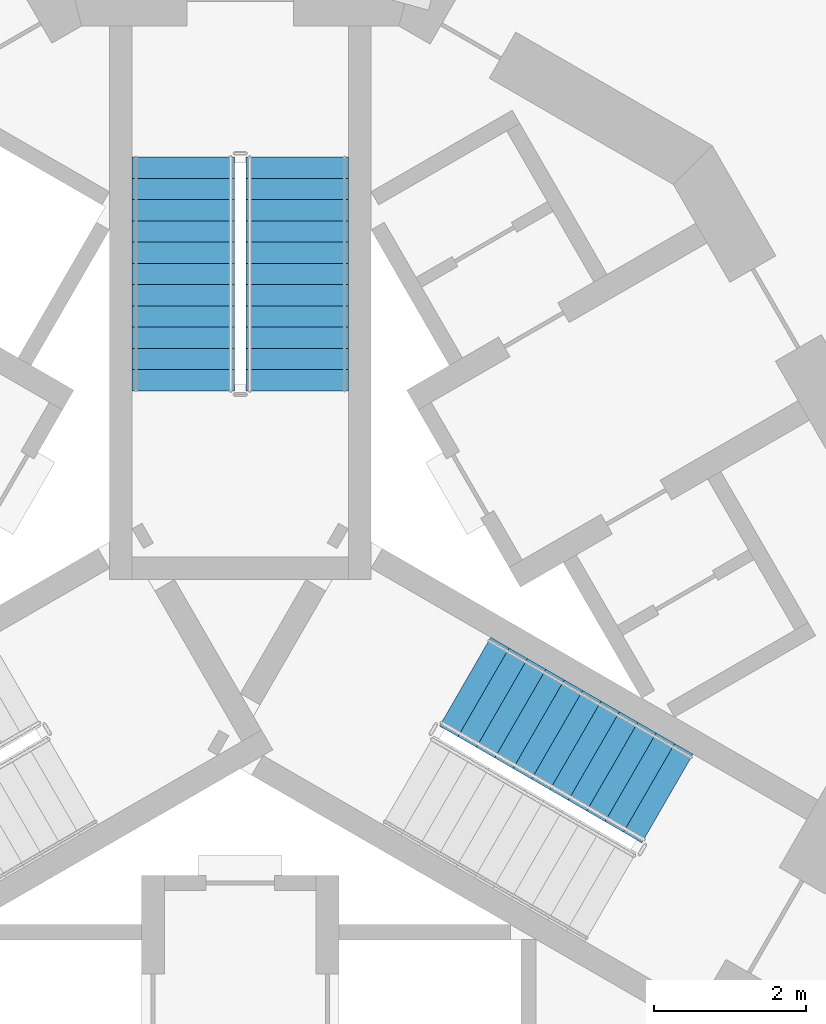
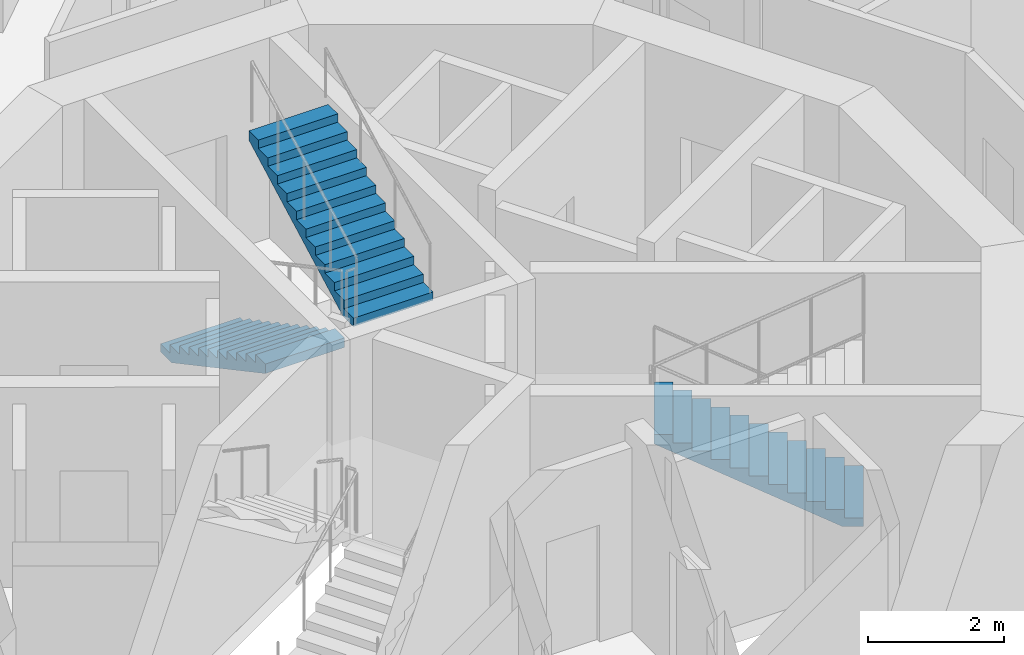
# One storey, part 9 of 15: 3 stair flights, 2 elements without a shape of their own.
"""IFC4 building model written with IfcOpenShell, lengths in metres."""

from ifc_helpers import new_model, si_unit, direction, frame, origin, place, context, subcontext, project, spatial, polyline, outline, extrude, material, type_object, element, aggregate, save


model = new_model("IFC4")

# Units and contexts
model_context = context("Model", 3, precision=1e-05, world=origin(), true_north=direction((0.0, 1.0)))
body_context = subcontext(model_context, "Body", "Model", "MODEL_VIEW")
ifc_project = project(units=[si_unit("LENGTHUNIT", "METRE"), si_unit("AREAUNIT", "SQUARE_METRE"), si_unit("VOLUMEUNIT", "CUBIC_METRE"), si_unit("PLANEANGLEUNIT", "RADIAN"), si_unit("MASSUNIT", "GRAM", prefix="KILO")], contexts=[model_context])

# Site, building, storey
site_placement = place(None, origin())
site = spatial("IfcSite", under=ifc_project, at=site_placement, CompositionType="ELEMENT")
building_placement = place(site_placement, origin())
building = spatial("IfcBuilding", under=site, at=building_placement, Name="Trine Commons Tower", CompositionType="ELEMENT")
storey_placement = place(building_placement, frame((0.0, 0.0, 256.5)))
storey = spatial("IfcBuildingStorey", under=building, at=storey_placement, Name="L67", CompositionType="ELEMENT", Elevation=256.5)

# Stair, stair flights
ifc_material = material(Name="Concrete C50/60", Category="concrete")
stair_type = type_object("IfcStairType", Name="Exit stair, dog-leg, 24 risers of 150 mm", PredefinedType="HALF_TURN_STAIR", material=ifc_material)
stair_1_placement = place(storey_placement, origin())
stair_1 = element("IfcStair", 1, at=stair_1_placement, inside=storey, type_object=stair_type, Name="L67 Exit stair ST1C", PredefinedType="HALF_TURN_STAIR")
stair_flight_type = type_object("IfcStairFlightType", Name="Stair flight, 1350 wide, 12 risers of 150 mm", PredefinedType="STRAIGHT", material=ifc_material)
stair_flight_1_placement = place(storey_placement, frame((79.25, 68.570556640625, 0.0), z_axis=(0.0, 0.0, 1.0), x_axis=(0.0, -1.0, 0.0)))
stair_flight_1 = element("IfcStairFlight", 2, at=stair_flight_1_placement, type_object=stair_flight_type, Name="ST1C flight 1", NumberOfRisers=12, NumberOfTreads=11, PredefinedType="STRAIGHT", RiserHeight=0.15, TreadLength=0.28, context=body_context, shape_type="SweptSolid", body=[
    extrude(outline(polyline([(0.0, 0.0), (0.0, 0.14990234375), (0.280029296875, 0.14990234375), (0.280029296875, 0.300048828125), (0.56005859375, 0.300048828125), (0.56005859375, 0.449951171875), (0.840087890625, 0.449951171875), (0.840087890625, 0.60009765625), (1.1201171875, 0.60009765625), (1.1201171875, 0.75), (1.39990234375, 0.75), (1.39990234375, 0.89990234375), (1.679931640625, 0.89990234375), (1.679931640625, 1.050048828125), (1.9599609375, 1.050048828125), (1.9599609375, 1.199951171875), (2.239990234375, 1.199951171875), (2.239990234375, 1.35009765625), (2.52001953125, 1.35009765625), (2.52001953125, 1.5), (2.800048828125, 1.5), (2.800048828125, 1.64990234375), (3.080078125, 1.64990234375), (3.080078125, 1.800048828125), (3.080078125, 1.47998046875), (0.3173828125, 0.0), (0.0, 0.0)])), frame((0.0, 0.675048828125, 0.0), z_axis=(0.0, -1.0, 0.0), x_axis=(1.0, 0.0, 0.0)), (0.0, 0.0, 1.0), 1.35009765625),
])
stair_flight_2_placement = place(storey_placement, frame((80.75, 65.490478515625, 1.800048828125), z_axis=(0.0, 0.0, 1.0), x_axis=(0.0, 1.0, 0.0)))
stair_flight_2 = element("IfcStairFlight", 3, at=stair_flight_2_placement, type_object=stair_flight_type, Name="ST1C flight 2", NumberOfRisers=12, NumberOfTreads=11, PredefinedType="STRAIGHT", RiserHeight=0.15, TreadLength=0.28, context=body_context, shape_type="SweptSolid", body=[
    extrude(outline(polyline([(0.0, 0.0), (0.0, 0.14990234375), (0.280029296875, 0.14990234375), (0.280029296875, 0.300048828125), (0.56005859375, 0.300048828125), (0.56005859375, 0.449951171875), (0.840087890625, 0.449951171875), (0.840087890625, 0.60009765625), (1.1201171875, 0.60009765625), (1.1201171875, 0.75), (1.39990234375, 0.75), (1.39990234375, 0.89990234375), (1.679931640625, 0.89990234375), (1.679931640625, 1.050048828125), (1.9599609375, 1.050048828125), (1.9599609375, 1.199951171875), (2.239990234375, 1.199951171875), (2.239990234375, 1.35009765625), (2.52001953125, 1.35009765625), (2.52001953125, 1.5), (2.800048828125, 1.5), (2.800048828125, 1.64990234375), (3.080078125, 1.64990234375), (3.080078125, 1.800048828125), (3.080078125, 1.47998046875), (0.3173828125, 0.0), (0.0, 0.0)])), frame((0.0, 0.675048828125, 0.0), z_axis=(0.0, -1.0, 0.0), x_axis=(1.0, 0.0, 0.0)), (0.0, 0.0, 1.0), 1.35009765625),
])
aggregate(stair_1, [stair_flight_1, stair_flight_2])

# Stair, stair flight
stair_2_placement = place(storey_placement, origin())
stair_2 = element("IfcStair", 4, at=stair_2_placement, inside=storey, type_object=stair_type, Name="L67 Exit stair ST3C", PredefinedType="HALF_TURN_STAIR")
stair_flight_3_placement = place(storey_placement, frame((85.63232421875, 60.1142578125, 0.0), z_axis=(0.0, 0.0, 1.0), x_axis=(-0.866025403784, 0.5, 0.0)))
stair_flight_3 = element("IfcStairFlight", 5, at=stair_flight_3_placement, type_object=stair_flight_type, Name="ST3C flight 1", NumberOfRisers=12, NumberOfTreads=11, PredefinedType="STRAIGHT", RiserHeight=0.15, TreadLength=0.28, context=body_context, shape_type="SweptSolid", body=[
    extrude(outline(polyline([(0.0, 0.0), (0.0, 0.14990234375), (0.280029296875, 0.14990234375), (0.280029296875, 0.300048828125), (0.56005859375, 0.300048828125), (0.56005859375, 0.449951171875), (0.840087890625, 0.449951171875), (0.840087890625, 0.60009765625), (1.1201171875, 0.60009765625), (1.1201171875, 0.75), (1.39990234375, 0.75), (1.39990234375, 0.89990234375), (1.679931640625, 0.89990234375), (1.679931640625, 1.050048828125), (1.9599609375, 1.050048828125), (1.9599609375, 1.199951171875), (2.239990234375, 1.199951171875), (2.239990234375, 1.35009765625), (2.52001953125, 1.35009765625), (2.52001953125, 1.5), (2.800048828125, 1.5), (2.800048828125, 1.64990234375), (3.080078125, 1.64990234375), (3.080078125, 1.800048828125), (3.080078125, 1.47998046875), (0.3173828125, 0.0), (0.0, 0.0)])), frame((0.0, 0.675048828125, 0.0), z_axis=(0.0, -1.0, 0.0), x_axis=(1.0, 0.0, 0.0)), (0.0, 0.0, 1.0), 1.35009765625),
])
aggregate(stair_2, [stair_flight_3])

save(model, "model.ifc")
